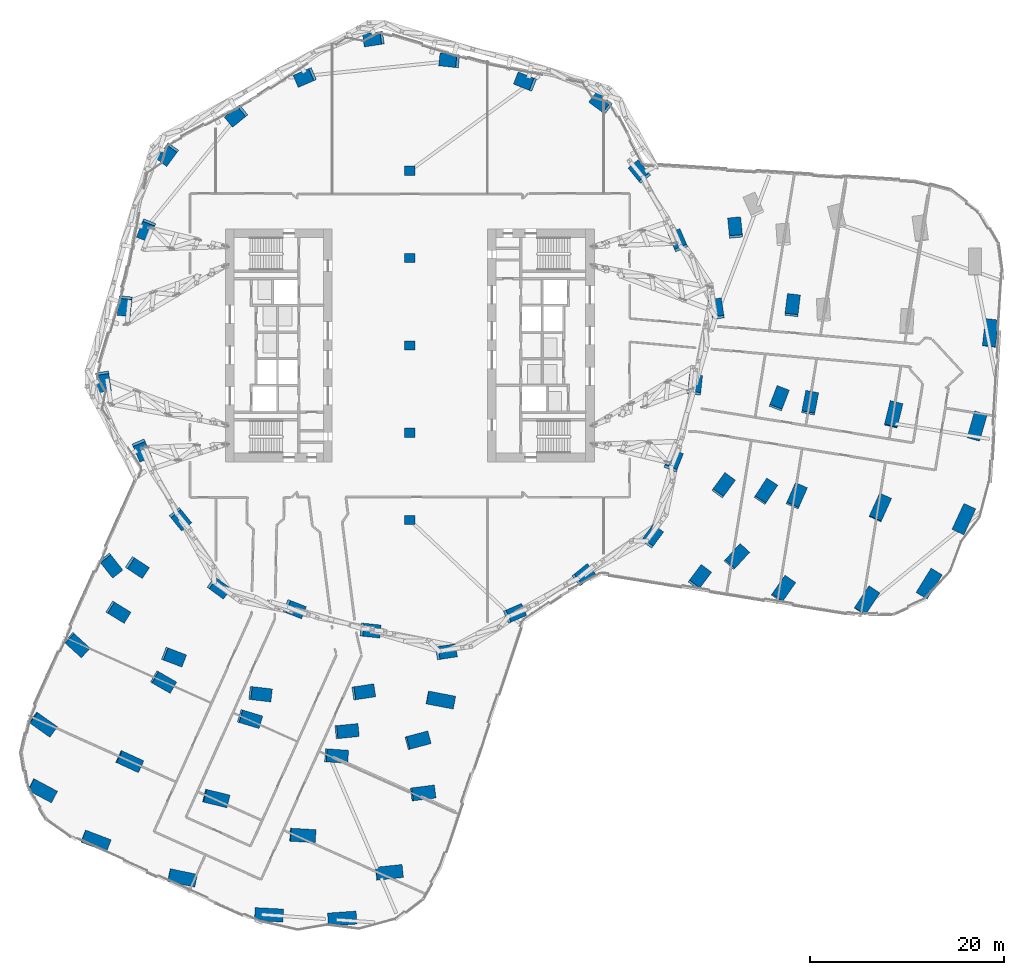
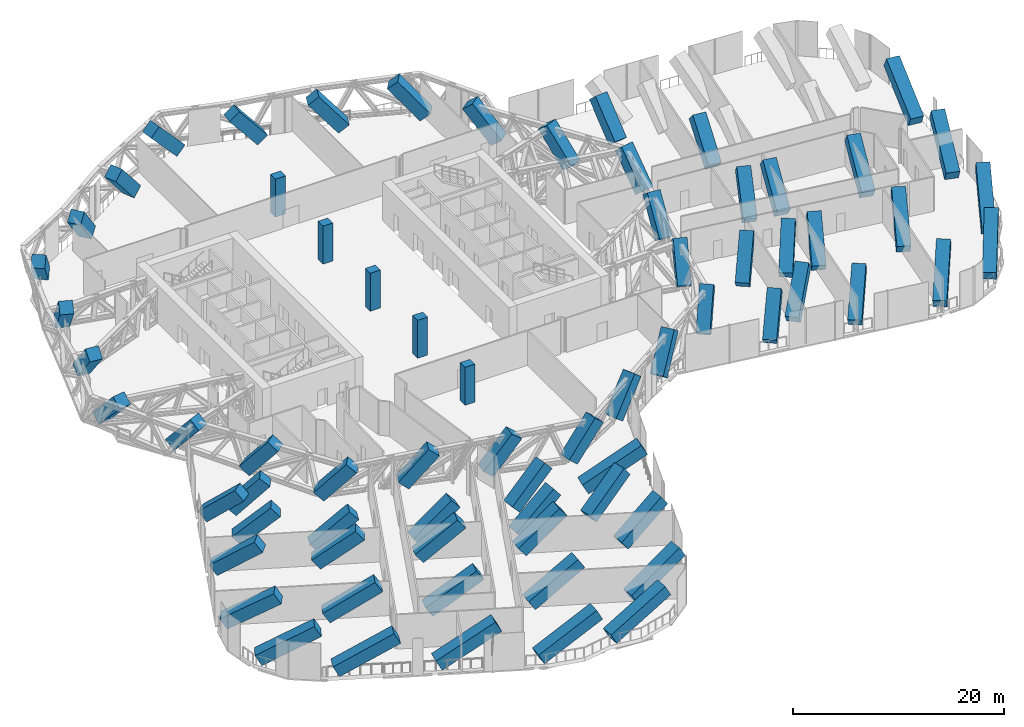
# One storey, part 1 of 39: 70 columns.
"""IFC4 building model written with IfcOpenShell, lengths in metres."""

from ifc_helpers import new_model, si_unit, direction, frame, origin, origin_2d, place, context, subcontext, project, spatial, rectangle, extrude, material, material_profile, profile_set, type_object, element, save


model = new_model("IFC4")

# Units and contexts
model_context = context("Model", 3, precision=1e-05, world=origin(), true_north=direction((0.0, 1.0)))
body_context = subcontext(model_context, "Body", "Model", "MODEL_VIEW")
ifc_project = project(units=[si_unit("LENGTHUNIT", "METRE"), si_unit("AREAUNIT", "SQUARE_METRE"), si_unit("VOLUMEUNIT", "CUBIC_METRE"), si_unit("PLANEANGLEUNIT", "RADIAN"), si_unit("MASSUNIT", "GRAM", prefix="KILO")], contexts=[model_context])

# Site, building, storey
site_placement = place(None, origin())
site = spatial("IfcSite", under=ifc_project, at=site_placement, CompositionType="ELEMENT")
building_placement = place(site_placement, origin())
building = spatial("IfcBuilding", under=site, at=building_placement, Name="Orlundy Tower", CompositionType="ELEMENT")
storey_placement = place(building_placement, frame((0.0, 0.0, 141.199951171875)))
storey = spatial("IfcBuildingStorey", under=building, at=storey_placement, Name="L36", CompositionType="ELEMENT", Elevation=141.199951171875)

# Columns
ifc_material_1 = material(Name="Concrete C80/95", Category="concrete")
ifc_material_profile_1 = material_profile(ifc_material_1, rectangle(XDim=1.10009765625, YDim=0.949951171875, at=origin_2d()), Name="RC1100X950")
ifc_profile_set_1 = profile_set([ifc_material_profile_1], Name="Concrete C80/95")
column_type_1 = type_object("IfcColumnType", Name="RC COLUMN RC1100X950 C80/95", PredefinedType="COLUMN", material=ifc_profile_set_1)
for number, where, z_axis, x_axis, name in (
    (1, (0.0, -18.0, 0.0), (0.0, 0.0, 1.0), (1.0, 0.0, 0.0), "Column C-M1 L36"),
    (2, (0.0, -9.0, 0.0), (0.0, 0.0, 1.0), (1.0, 0.0, 0.0), "Column C-M2 L36"),
    (3, (0.0, 0.0, 0.0), (0.0, 0.0, 1.0), (1.0, 0.0, 0.0), "Column C-M3 L36"),
    (4, (0.0, 9.0, 0.0), (0.0, 0.0, 1.0), (1.0, 0.0, 0.0), "Column C-M4 L36"),
    (5, (0.0, 18.0, 0.0), (0.0, 0.0, 1.0), (1.0, 0.0, 0.0), "Column C-M5 L36"),
):
    element("IfcColumn", number, at=place(storey_placement, frame(where, z_axis=z_axis, x_axis=x_axis)), inside=storey, type_object=column_type_1, Name=name, PredefinedType="COLUMN", context=body_context, shape_type="SweptSolid", body=[
        extrude(rectangle(XDim=1.10009765625, YDim=0.949951171875, at=origin_2d()), origin(), (0.0, 0.0, 1.0), 4.400146484375),
    ])
ifc_material_2 = material(Name="Concrete C80/95", Category="concrete")
ifc_material_profile_2 = material_profile(ifc_material_2, rectangle(XDim=1.35009765625, YDim=1.35009765625, at=origin_2d()), Name="RC1350X1350")
ifc_profile_set_2 = profile_set([ifc_material_profile_2], Name="Concrete C80/95")
column_type_2 = type_object("IfcColumnType", Name="RC COLUMN RC1350X1350 C80/95", PredefinedType="COLUMN", material=ifc_profile_set_2)
column_1_placement = place(storey_placement, frame((29.488037109375, -24.408935546875, 0.50244140625), z_axis=(0.445669755375, 0.596163130372, 0.667808349101), x_axis=(-0.800935761817, 0.598750286382, 0.0)))
element("IfcColumn", 6, at=column_1_placement, inside=storey, type_object=column_type_2, Name="Column C-A1-1 L36 strut", PredefinedType="COLUMN", context=body_context, shape_type="SweptSolid", body=[
    extrude(rectangle(XDim=1.35009765625, YDim=1.35009765625, at=origin_2d()), origin(), (0.0, 0.0, 1.0), 5.084228515625),
])
column_2_placement = place(storey_placement, frame((38.010986328125, -25.784912109375, 0.552978515625), z_axis=(0.468842724866, 0.671791143978, 0.573483354783), x_axis=(-0.820040318321, 0.572305754233, 0.0)))
element("IfcColumn", 7, at=column_2_placement, inside=storey, type_object=column_type_2, Name="Column C-A1-2 L36 strut", PredefinedType="COLUMN", context=body_context, shape_type="SweptSolid", body=[
    extrude(rectangle(XDim=1.35009765625, YDim=1.35009765625, at=origin_2d()), origin(), (0.0, 0.0, 1.0), 5.744140625),
])
column_3_placement = place(storey_placement, frame((46.534912109375, -27.156005859375, 0.58544921875), z_axis=(0.480787238575, 0.721858234999, 0.497759299047), x_axis=(-0.832290525352, 0.554339680529, 0.0)))
element("IfcColumn", 8, at=column_3_placement, inside=storey, type_object=column_type_2, Name="Column C-A1-3 L36 strut", PredefinedType="COLUMN", context=body_context, shape_type="SweptSolid", body=[
    extrude(rectangle(XDim=1.35009765625, YDim=1.35009765625, at=origin_2d()), origin(), (0.0, 0.0, 1.0), 6.487548828125),
])
column_4_placement = place(storey_placement, frame((52.89892578125, -25.547119140625, 0.60009765625), z_axis=(0.466787888169, 0.756586970001, 0.457913992233), x_axis=(-0.851057310823, 0.525072807994, 0.0)))
element("IfcColumn", 9, at=column_4_placement, inside=storey, type_object=column_type_2, Name="Column C-A1-5 L36 strut", PredefinedType="COLUMN", context=body_context, shape_type="SweptSolid", body=[
    extrude(rectangle(XDim=1.35009765625, YDim=1.35009765625, at=origin_2d()), origin(), (0.0, 0.0, 1.0), 6.988037109375),
])
column_5_placement = place(storey_placement, frame((33.154052734375, -22.361083984375, 0.5439453125), z_axis=(0.544321843099, 0.594047747758, 0.592301447331), x_axis=(-0.737291324777, 0.675574942112, 0.0)))
element("IfcColumn", 10, at=column_5_placement, inside=storey, type_object=column_type_2, Name="Column C-A1-6 L36 strut", PredefinedType="COLUMN", context=body_context, shape_type="SweptSolid", body=[
    extrude(rectangle(XDim=1.35009765625, YDim=1.35009765625, at=origin_2d()), origin(), (0.0, 0.0, 1.0), 5.59228515625),
])
column_6_placement = place(storey_placement, frame((39.555908203125, -16.208984375, 0.53515625), z_axis=(0.31854234931, 0.725893965925, 0.609597180054), x_axis=(-0.915710327084, 0.401839018603, 0.0)))
element("IfcColumn", 11, at=column_6_placement, inside=storey, type_object=column_type_2, Name="Column C-A2-2 L36 strut", PredefinedType="COLUMN", context=body_context, shape_type="SweptSolid", body=[
    extrude(rectangle(XDim=1.35009765625, YDim=1.35009765625, at=origin_2d()), origin(), (0.0, 0.0, 1.0), 5.46240234375),
])
column_7_placement = place(storey_placement, frame((48.0791015625, -17.583984375, 0.57421875), z_axis=(0.350418443914, 0.775058009341, 0.52582506247), x_axis=(-0.911197540169, 0.41196971101, 0.0)))
element("IfcColumn", 12, at=column_7_placement, inside=storey, type_object=column_type_2, Name="Column C-A2-3 L36 strut", PredefinedType="COLUMN", context=body_context, shape_type="SweptSolid", body=[
    extrude(rectangle(XDim=1.35009765625, YDim=1.35009765625, at=origin_2d()), origin(), (0.0, 0.0, 1.0), 6.18408203125),
])
column_8_placement = place(storey_placement, frame((56.60302734375, -18.958984375, 0.599609375), z_axis=(0.372133685818, 0.806529075779, 0.459377154201), x_axis=(-0.908006713868, 0.418955615274, 0.0)))
element("IfcColumn", 13, at=column_8_placement, inside=storey, type_object=column_type_2, Name="Column C-A2-5 L36 strut", PredefinedType="COLUMN", context=body_context, shape_type="SweptSolid", body=[
    extrude(rectangle(XDim=1.35009765625, YDim=1.35009765625, at=origin_2d()), origin(), (0.0, 0.0, 1.0), 6.968017578125),
])
column_9_placement = place(storey_placement, frame((36.26611328125, -15.677978515625, 0.533935546875), z_axis=(0.435018210806, 0.660530073154, 0.61193069765), x_axis=(-0.83515054207, 0.550021428746, 0.0)))
element("IfcColumn", 14, at=column_9_placement, inside=storey, type_object=column_type_2, Name="Column C-A2-6 L36 strut", PredefinedType="COLUMN", context=body_context, shape_type="SweptSolid", body=[
    extrude(rectangle(XDim=1.35009765625, YDim=1.35009765625, at=origin_2d()), origin(), (0.0, 0.0, 1.0), 5.445556640625),
])
column_10_placement = place(storey_placement, frame((31.922119140625, -14.97705078125, 0.51171875), z_axis=(0.448305367105, 0.611196881725, 0.65227346228), x_axis=(-0.806345650901, 0.591444580052, 0.0)))
element("IfcColumn", 15, at=column_10_placement, inside=storey, type_object=column_type_2, Name="Column C-A2-7 L36 strut", PredefinedType="COLUMN", context=body_context, shape_type="SweptSolid", body=[
    extrude(rectangle(XDim=1.35009765625, YDim=1.35009765625, at=origin_2d()), origin(), (0.0, 0.0, 1.0), 5.1767578125),
])
column_11_placement = place(storey_placement, frame((41.10205078125, -6.632080078125, 0.525146484375), z_axis=(0.147457450281, 0.763672927503, 0.628537954428), x_axis=(-0.981863757507, 0.189587873278, 0.0)))
element("IfcColumn", 16, at=column_11_placement, inside=storey, type_object=column_type_2, Name="Column C-A3-2 L36 strut", PredefinedType="COLUMN", context=body_context, shape_type="SweptSolid", body=[
    extrude(rectangle(XDim=1.35009765625, YDim=1.35009765625, at=origin_2d()), origin(), (0.0, 0.0, 1.0), 5.32958984375),
])
column_12_placement = place(storey_placement, frame((49.625, -8.008056640625, 0.566650390625), z_axis=(0.201746311335, 0.814904031714, 0.543350572798), x_axis=(-0.970694824594, 0.240315537379, 0.0)))
element("IfcColumn", 17, at=column_12_placement, inside=storey, type_object=column_type_2, Name="Column C-A3-3 L36 strut", PredefinedType="COLUMN", context=body_context, shape_type="SweptSolid", body=[
    extrude(rectangle(XDim=1.35009765625, YDim=1.35009765625, at=origin_2d()), origin(), (0.0, 0.0, 1.0), 6.011962890625),
])
column_13_placement = place(storey_placement, frame((58.14794921875, -9.383056640625, 0.59423828125), z_axis=(0.24237144992, 0.846171477585, 0.474605005015), x_axis=(-0.961341221194, 0.275359867143, 0.0)))
element("IfcColumn", 18, at=column_13_placement, inside=storey, type_object=column_type_2, Name="Column C-A3-5 L36 strut", PredefinedType="COLUMN", context=body_context, shape_type="SweptSolid", body=[
    extrude(rectangle(XDim=1.35009765625, YDim=1.35009765625, at=origin_2d()), origin(), (0.0, 0.0, 1.0), 6.76708984375),
])
column_14_placement = place(storey_placement, frame((37.81103515625, -6.10107421875, 0.51416015625), z_axis=(0.272108426687, 0.711422790049, 0.647946462237), x_axis=(-0.93401073504, 0.357244939543, 0.0)))
element("IfcColumn", 19, at=column_14_placement, inside=storey, type_object=column_type_2, Name="Column C-A3-6 L36 strut", PredefinedType="COLUMN", context=body_context, shape_type="SweptSolid", body=[
    extrude(rectangle(XDim=1.35009765625, YDim=1.35009765625, at=origin_2d()), origin(), (0.0, 0.0, 1.0), 5.203857421875),
])
column_15_placement = place(storey_placement, frame((59.693115234375, 0.193115234375, 0.592041015625), z_axis=(0.102577531908, 0.871052081297, 0.480360408043), x_axis=(-0.993137259323, 0.116954624293, 0.0)))
element("IfcColumn", 20, at=column_15_placement, inside=storey, type_object=column_type_2, Name="Column C-A4-5 L36 strut", PredefinedType="COLUMN", context=body_context, shape_type="SweptSolid", body=[
    extrude(rectangle(XDim=1.35009765625, YDim=1.35009765625, at=origin_2d()), origin(), (0.0, 0.0, 1.0), 6.695068359375),
])
column_16_placement = place(storey_placement, frame((39.35595703125, 3.47509765625, 0.505859375), z_axis=(0.090491070758, 0.744011191678, 0.662011112272), x_axis=(-0.992684625922, 0.12073621436, 0.0)))
element("IfcColumn", 21, at=column_16_placement, inside=storey, type_object=column_type_2, Name="Column C-A4-6 L36 strut", PredefinedType="COLUMN", context=body_context, shape_type="SweptSolid", body=[
    extrude(rectangle(XDim=1.35009765625, YDim=1.35009765625, at=origin_2d()), origin(), (0.0, 0.0, 1.0), 5.117919921875),
])
column_17_placement = place(storey_placement, frame((33.569091796875, 11.593994140625, 0.45751953125), z_axis=(-0.065634102626, 0.674423891271, 0.735421361843), x_axis=(-0.995297902373, -0.096861166269, 0.0)))
element("IfcColumn", 22, at=column_17_placement, inside=storey, type_object=column_type_2, Name="Column C-A5-7 L36 strut", PredefinedType="COLUMN", context=body_context, shape_type="SweptSolid", body=[
    extrude(rectangle(XDim=1.35009765625, YDim=1.35009765625, at=origin_2d()), origin(), (0.0, 0.0, 1.0), 4.739013671875),
])
column_18_placement = place(storey_placement, frame((-31.2099609375, -22.166015625, 0.50244140625), z_axis=(0.460481520872, -0.584762069002, 0.667839869723), x_axis=(0.785648466682, 0.618673166381, 0.0)))
element("IfcColumn", 23, at=column_18_placement, inside=storey, type_object=column_type_2, Name="Column C-B1-1 L36 strut", PredefinedType="COLUMN", context=body_context, shape_type="SweptSolid", body=[
    extrude(rectangle(XDim=1.35009765625, YDim=1.35009765625, at=origin_2d()), origin(), (0.0, 0.0, 1.0), 5.083984375),
])
column_19_placement = place(storey_placement, frame((-34.881103515625, -30.345947265625, 0.5400390625), z_axis=(0.591549136384, -0.538558123272, 0.600020638896), x_axis=(0.67321068037, 0.739450728471, 0.0)))
element("IfcColumn", 24, at=column_19_placement, inside=storey, type_object=column_type_2, Name="Column C-B1-2 L36 strut", PredefinedType="COLUMN", context=body_context, shape_type="SweptSolid", body=[
    extrude(rectangle(XDim=1.35009765625, YDim=1.35009765625, at=origin_2d()), origin(), (0.0, 0.0, 1.0), 5.533203125),
])
column_20_placement = place(storey_placement, frame((-38.551025390625, -38.527099609375, 0.57080078125), z_axis=(0.689361141479, -0.489577625895, 0.533942847918), x_axis=(0.579025091724, 0.815309722225, 0.0)))
element("IfcColumn", 25, at=column_20_placement, inside=storey, type_object=column_type_2, Name="Column C-B1-3 L36 strut", PredefinedType="COLUMN", context=body_context, shape_type="SweptSolid", body=[
    extrude(rectangle(XDim=1.35009765625, YDim=1.35009765625, at=origin_2d()), origin(), (0.0, 0.0, 1.0), 6.102783203125),
])
column_21_placement = place(storey_placement, frame((-38.777099609375, -45.39697265625, 0.586181640625), z_axis=(0.766373481627, -0.408445000655, 0.495826953784), x_axis=(0.470330448643, 0.88249037903, 0.0)))
element("IfcColumn", 26, at=column_21_placement, inside=storey, type_object=column_type_2, Name="Column C-B1-5 L36 strut", PredefinedType="COLUMN", context=body_context, shape_type="SweptSolid", body=[
    extrude(rectangle(XDim=1.35009765625, YDim=1.35009765625, at=origin_2d()), origin(), (0.0, 0.0, 1.0), 6.510009765625),
])
column_22_placement = place(storey_placement, frame((-30.589111328125, -27.14990234375, 0.496337890625), z_axis=(0.626131565999, -0.385681506687, 0.677649642116), x_axis=(0.524462091382, 0.851433799366, 0.0)))
element("IfcColumn", 27, at=column_22_placement, inside=storey, type_object=column_type_2, Name="Column C-B1-6 L36 strut", PredefinedType="COLUMN", context=body_context, shape_type="SweptSolid", body=[
    extrude(rectangle(XDim=1.35009765625, YDim=1.35009765625, at=origin_2d()), origin(), (0.0, 0.0, 1.0), 5.028076171875),
])
column_23_placement = place(storey_placement, frame((-28.5419921875, -22.587890625, 0.45751953125), z_axis=(0.56693007225, -0.371342803094, 0.735319533107), x_axis=(0.547929064254, 0.83652479972, 0.0)))
element("IfcColumn", 28, at=column_23_placement, inside=storey, type_object=column_type_2, Name="Column C-B1-7 L36 strut", PredefinedType="COLUMN", context=body_context, shape_type="SweptSolid", body=[
    extrude(rectangle(XDim=1.35009765625, YDim=1.35009765625, at=origin_2d()), origin(), (0.0, 0.0, 1.0), 4.739501953125),
])
column_24_placement = place(storey_placement, frame((-26.031005859375, -34.318115234375, 0.52685546875), z_axis=(0.676490609921, -0.389588552923, 0.624964970314), x_axis=(0.499054836626, 0.866570406857, 0.0)))
element("IfcColumn", 29, at=column_24_placement, inside=storey, type_object=column_type_2, Name="Column C-B2-2 L36 strut", PredefinedType="COLUMN", context=body_context, shape_type="SweptSolid", body=[
    extrude(rectangle(XDim=1.35009765625, YDim=1.35009765625, at=origin_2d()), origin(), (0.0, 0.0, 1.0), 5.354248046875),
])
column_25_placement = place(storey_placement, frame((-29.701904296875, -42.498046875, 0.5654296875), z_axis=(0.760961590664, -0.34981627523, 0.546411960994), x_axis=(0.417682821777, 0.908592901355, 0.0)))
element("IfcColumn", 30, at=column_25_placement, inside=storey, type_object=column_type_2, Name="Column C-B2-3 L36 strut", PredefinedType="COLUMN", context=body_context, shape_type="SweptSolid", body=[
    extrude(rectangle(XDim=1.35009765625, YDim=1.35009765625, at=origin_2d()), origin(), (0.0, 0.0, 1.0), 5.983154296875),
])
column_26_placement = place(storey_placement, frame((-33.3720703125, -50.678955078125, 0.592041015625), z_axis=(0.81911959457, -0.313528481241, 0.480357139264), x_axis=(0.357471370186, 0.933924097289, 0.0)))
element("IfcColumn", 31, at=column_26_placement, inside=storey, type_object=column_type_2, Name="Column C-B2-5 L36 strut", PredefinedType="COLUMN", context=body_context, shape_type="SweptSolid", body=[
    extrude(rectangle(XDim=1.35009765625, YDim=1.35009765625, at=origin_2d()), origin(), (0.0, 0.0, 1.0), 6.695068359375),
])
column_27_placement = place(storey_placement, frame((-24.93896484375, -31.885009765625, 0.505859375), z_axis=(0.700899962867, -0.265342063263, 0.66206708989), x_axis=(0.354051617302, 0.935225883028, 0.0)))
element("IfcColumn", 32, at=column_27_placement, inside=storey, type_object=column_type_2, Name="Column C-B2-6 L36 strut", PredefinedType="COLUMN", context=body_context, shape_type="SweptSolid", body=[
    extrude(rectangle(XDim=1.35009765625, YDim=1.35009765625, at=origin_2d()), origin(), (0.0, 0.0, 1.0), 5.11767578125),
])
column_28_placement = place(storey_placement, frame((-17.180908203125, -38.2890625, 0.525146484375), z_axis=(0.744966037847, -0.223787522959, 0.628446296053), x_axis=(0.287698999339, 0.957720880935, 0.0)))
element("IfcColumn", 33, at=column_28_placement, inside=storey, type_object=column_type_2, Name="Column C-B3-2 L36 strut", PredefinedType="COLUMN", context=body_context, shape_type="SweptSolid", body=[
    extrude(rectangle(XDim=1.35009765625, YDim=1.35009765625, at=origin_2d()), origin(), (0.0, 0.0, 1.0), 5.330322265625),
])
column_29_placement = place(storey_placement, frame((-20.85205078125, -46.468994140625, 0.566650390625), z_axis=(0.815419612681, -0.199600946079, 0.543369411707), x_axis=(0.237763481312, 0.971323080625, 0.0)))
element("IfcColumn", 34, at=column_29_placement, inside=storey, type_object=column_type_2, Name="Column C-B3-3 L36 strut", PredefinedType="COLUMN", context=body_context, shape_type="SweptSolid", body=[
    extrude(rectangle(XDim=1.35009765625, YDim=1.35009765625, at=origin_2d()), origin(), (0.0, 0.0, 1.0), 6.01171875),
])
column_30_placement = place(storey_placement, frame((-24.52294921875, -54.64990234375, 0.59423828125), z_axis=(0.862005289153, -0.178201629077, 0.474543002126), x_axis=(0.202448404588, 0.979292930374, 0.0)))
element("IfcColumn", 35, at=column_30_placement, inside=storey, type_object=column_type_2, Name="Column C-B3-5 L36 strut", PredefinedType="COLUMN", context=body_context, shape_type="SweptSolid", body=[
    extrude(rectangle(XDim=1.35009765625, YDim=1.35009765625, at=origin_2d()), origin(), (0.0, 0.0, 1.0), 6.767822265625),
])
column_31_placement = place(storey_placement, frame((-16.089111328125, -35.85595703125, 0.51416015625), z_axis=(0.756400050479, -0.089377378499, 0.647974264804), x_axis=(0.117345163005, 0.993091190536, 0.0)))
element("IfcColumn", 36, at=column_31_placement, inside=storey, type_object=column_type_2, Name="Column C-B3-6 L36 strut", PredefinedType="COLUMN", context=body_context, shape_type="SweptSolid", body=[
    extrude(rectangle(XDim=1.35009765625, YDim=1.35009765625, at=origin_2d()), origin(), (0.0, 0.0, 1.0), 5.20361328125),
])
column_32_placement = place(storey_placement, frame((-8.3310546875, -42.260009765625, 0.53515625), z_axis=(0.790766933588, -0.05493485735, 0.60964728999), x_axis=(0.069303320034, 0.997595634429, 0.0)))
element("IfcColumn", 37, at=column_32_placement, inside=storey, type_object=column_type_2, Name="Column C-B4-2 L36 strut", PredefinedType="COLUMN", context=body_context, shape_type="SweptSolid", body=[
    extrude(rectangle(XDim=1.35009765625, YDim=1.35009765625, at=origin_2d()), origin(), (0.0, 0.0, 1.0), 5.4619140625),
])
column_33_placement = place(storey_placement, frame((-12.001953125, -50.44091796875, 0.57421875), z_axis=(0.84914253523, -0.049508310358, 0.525838266075), x_axis=(0.0582050414, 0.998304649471, 0.0)))
element("IfcColumn", 38, at=column_33_placement, inside=storey, type_object=column_type_2, Name="Column C-B4-3 L36 strut", PredefinedType="COLUMN", context=body_context, shape_type="SweptSolid", body=[
    extrude(rectangle(XDim=1.35009765625, YDim=1.35009765625, at=origin_2d()), origin(), (0.0, 0.0, 1.0), 6.183837890625),
])
column_34_placement = place(storey_placement, frame((-15.673095703125, -58.62109375, 0.599609375), z_axis=(0.887129480144, -0.044913513685, 0.459330013986), x_axis=(0.050563152588, 0.998720865708, 0.0)))
element("IfcColumn", 39, at=column_34_placement, inside=storey, type_object=column_type_2, Name="Column C-B4-5 L36 strut", PredefinedType="COLUMN", context=body_context, shape_type="SweptSolid", body=[
    extrude(rectangle(XDim=1.35009765625, YDim=1.35009765625, at=origin_2d()), origin(), (0.0, 0.0, 1.0), 6.96875),
])
column_35_placement = place(storey_placement, frame((-7.239013671875, -39.826904296875, 0.533935546875), z_axis=(0.786948730103, 0.07860071357, 0.611991522829), x_axis=(-0.099385838219, 0.995048971238, 0.0)))
element("IfcColumn", 40, at=column_35_placement, inside=storey, type_object=column_type_2, Name="Column C-B4-6 L36 strut", PredefinedType="COLUMN", context=body_context, shape_type="SweptSolid", body=[
    extrude(rectangle(XDim=1.35009765625, YDim=1.35009765625, at=origin_2d()), origin(), (0.0, 0.0, 1.0), 5.445068359375),
])
column_36_placement = place(storey_placement, frame((-5.43798828125, -35.81201171875, 0.51171875), z_axis=(0.749479055417, 0.113185862887, 0.652280695663), x_axis=(-0.14932615089, 0.988787995811, 0.0)))
element("IfcColumn", 41, at=column_36_placement, inside=storey, type_object=column_type_2, Name="Column C-B4-7 L36 strut", PredefinedType="COLUMN", context=body_context, shape_type="SweptSolid", body=[
    extrude(rectangle(XDim=1.35009765625, YDim=1.35009765625, at=origin_2d()), origin(), (0.0, 0.0, 1.0), 5.1767578125),
])
column_37_placement = place(storey_placement, frame((0.51904296875, -46.23095703125, 0.552978515625), z_axis=(0.812671730055, 0.103241612568, 0.57350311996), x_axis=(-0.12602683971, 0.992026832133, 0.0)))
element("IfcColumn", 42, at=column_37_placement, inside=storey, type_object=column_type_2, Name="Column C-B5-2 L36 strut", PredefinedType="COLUMN", context=body_context, shape_type="SweptSolid", body=[
    extrude(rectangle(XDim=1.35009765625, YDim=1.35009765625, at=origin_2d()), origin(), (0.0, 0.0, 1.0), 5.743896484375),
])
column_38_placement = place(storey_placement, frame((-3.152099609375, -54.412109375, 0.58544921875), z_axis=(0.862562236494, 0.090801966524, 0.497736266561), x_axis=(-0.104691559937, 0.994504739696, 0.0)))
element("IfcColumn", 43, at=column_38_placement, inside=storey, type_object=column_type_2, Name="Column C-B5-3 L36 strut", PredefinedType="COLUMN", context=body_context, shape_type="SweptSolid", body=[
    extrude(rectangle(XDim=1.35009765625, YDim=1.35009765625, at=origin_2d()), origin(), (0.0, 0.0, 1.0), 6.48779296875),
])
column_39_placement = place(storey_placement, frame((-8.134033203125, -59.14697265625, 0.60009765625), z_axis=(0.886817690236, 0.062118813901, 0.45792536209), x_axis=(-0.069875666761, 0.997555708316, 0.0)))
element("IfcColumn", 44, at=column_39_placement, inside=storey, type_object=column_type_2, Name="Column C-B5-5 L36 strut", PredefinedType="COLUMN", context=body_context, shape_type="SweptSolid", body=[
    extrude(rectangle(XDim=1.35009765625, YDim=1.35009765625, at=origin_2d()), origin(), (0.0, 0.0, 1.0), 6.988037109375),
])
column_40_placement = place(storey_placement, frame((0.053955078125, -40.89990234375, 0.5439453125), z_axis=(0.778816229467, 0.20633958406, 0.592342178786), x_axis=(-0.25610405903, 0.966649218149, 0.0)))
element("IfcColumn", 45, at=column_40_placement, inside=storey, type_object=column_type_2, Name="Column C-B5-6 L36 strut", PredefinedType="COLUMN", context=body_context, shape_type="SweptSolid", body=[
    extrude(rectangle(XDim=1.35009765625, YDim=1.35009765625, at=origin_2d()), origin(), (0.0, 0.0, 1.0), 5.591796875),
])
column_41_placement = place(storey_placement, frame((2.10107421875, -36.337890625, 0.593505859375), z_axis=(0.863633920008, -0.164879186288, 0.476394066022), x_axis=(0.187526397263, 0.982259563623, 0.0)))
element("IfcColumn", 46, at=column_41_placement, inside=storey, type_object=column_type_2, Name="Column C-B5-7 L36 strut", PredefinedType="COLUMN", context=body_context, shape_type="SweptSolid", body=[
    extrude(rectangle(XDim=1.35009765625, YDim=1.35009765625, at=origin_2d()), origin(), (0.0, 0.0, 1.0), 6.74462890625),
])
column_42_placement = place(storey_placement, frame((20.097900390625, 24.672119140625, 0.451416015625), z_axis=(-0.538700406723, 0.396226891312, 0.743509329059), x_axis=(-0.592510461213, -0.805562755689, 0.0)))
element("IfcColumn", 47, at=column_42_placement, inside=storey, type_object=column_type_2, Name="Column C-H01 L36 strut", PredefinedType="COLUMN", context=body_context, shape_type="SweptSolid", body=[
    extrude(rectangle(XDim=1.35009765625, YDim=1.35009765625, at=origin_2d()), origin(), (0.0, 0.0, 1.0), 4.703857421875),
])
for number, where, z_axis, x_axis, name in (
    (48, (23.950927734375, 17.52587890625, 0.430908203125), (-0.401795419093, 0.496016843214, 0.769758229864), (-0.777047193088, -0.629442340262, 0.0), "Column C-H02 L36 strut"),
    (49, (27.803955078125, 10.3798828125, 0.430908203125), (-0.25234228845, 0.58632004256, 0.769774107874), (-0.918541408609, -0.395324778721, 0.0), "Column C-H03 L36 strut"),
):
    element("IfcColumn", number, at=place(storey_placement, frame(where, z_axis=z_axis, x_axis=x_axis)), inside=storey, type_object=column_type_2, Name=name, PredefinedType="COLUMN", context=body_context, shape_type="SweptSolid", body=[
        extrude(rectangle(XDim=1.35009765625, YDim=1.35009765625, at=origin_2d()), origin(), (0.0, 0.0, 1.0), 4.5966796875),
    ])
column_43_placement = place(storey_placement, frame((31.657958984375, 3.23388671875, 0.451416015625), z_axis=(-0.100942539324, 0.661134708716, 0.74344569451), x_axis=(-0.988544198724, -0.150931663907, 0.0)))
element("IfcColumn", 50, at=column_43_placement, inside=storey, type_object=column_type_2, Name="Column C-H04 L36 strut", PredefinedType="COLUMN", context=body_context, shape_type="SweptSolid", body=[
    extrude(rectangle(XDim=1.35009765625, YDim=1.35009765625, at=origin_2d()), origin(), (0.0, 0.0, 1.0), 4.7041015625),
])
column_44_placement = place(storey_placement, frame((29.3291015625, -4.54296875, 0.430908203125), z_axis=(0.066340760045, 0.634831676586, 0.769797145981), x_axis=(-0.994584053709, 0.10393536505, 0.0)))
element("IfcColumn", 51, at=column_44_placement, inside=storey, type_object=column_type_2, Name="Column C-H05 L36 strut", PredefinedType="COLUMN", context=body_context, shape_type="SweptSolid", body=[
    extrude(rectangle(XDim=1.35009765625, YDim=1.35009765625, at=origin_2d()), origin(), (0.0, 0.0, 1.0), 4.596435546875),
])
column_45_placement = place(storey_placement, frame((27.0009765625, -12.321044921875, 0.430908203125), z_axis=(0.23580703144, 0.593235257024, 0.769718762762), x_axis=(-0.929277772361, 0.369381674958, 0.0)))
element("IfcColumn", 52, at=column_45_placement, inside=storey, type_object=column_type_2, Name="Column C-H06 L36 strut", PredefinedType="COLUMN", context=body_context, shape_type="SweptSolid", body=[
    extrude(rectangle(XDim=1.35009765625, YDim=1.35009765625, at=origin_2d()), origin(), (0.0, 0.0, 1.0), 4.596923828125),
])
column_46_placement = place(storey_placement, frame((24.672119140625, -20.097900390625, 0.451416015625), z_axis=(0.396226891312, 0.538700406723, 0.743509329059), x_axis=(-0.805562755689, 0.592510461213, 0.0)))
element("IfcColumn", 53, at=column_46_placement, inside=storey, type_object=column_type_2, Name="Column C-H07 L36 strut", PredefinedType="COLUMN", context=body_context, shape_type="SweptSolid", body=[
    extrude(rectangle(XDim=1.35009765625, YDim=1.35009765625, at=origin_2d()), origin(), (0.0, 0.0, 1.0), 4.703857421875),
])
for number, where, z_axis, x_axis, name in (
    (54, (17.52587890625, -23.950927734375, 0.430908203125), (0.496016843214, 0.401795419093, 0.769758229864), (-0.629442340262, 0.777047193088, 0.0), "Column C-H08 L36 strut"),
    (55, (10.3798828125, -27.803955078125, 0.430908203125), (0.58632004256, 0.25234228845, 0.769774107874), (-0.395324778721, 0.918541408609, 0.0), "Column C-H09 L36 strut"),
):
    element("IfcColumn", number, at=place(storey_placement, frame(where, z_axis=z_axis, x_axis=x_axis)), inside=storey, type_object=column_type_2, Name=name, PredefinedType="COLUMN", context=body_context, shape_type="SweptSolid", body=[
        extrude(rectangle(XDim=1.35009765625, YDim=1.35009765625, at=origin_2d()), origin(), (0.0, 0.0, 1.0), 4.5966796875),
    ])
column_47_placement = place(storey_placement, frame((3.23388671875, -31.657958984375, 0.451416015625), z_axis=(0.661134708716, 0.100942539324, 0.74344569451), x_axis=(-0.150931663907, 0.988544198724, 0.0)))
element("IfcColumn", 56, at=column_47_placement, inside=storey, type_object=column_type_2, Name="Column C-H10 L36 strut", PredefinedType="COLUMN", context=body_context, shape_type="SweptSolid", body=[
    extrude(rectangle(XDim=1.35009765625, YDim=1.35009765625, at=origin_2d()), origin(), (0.0, 0.0, 1.0), 4.7041015625),
])
column_48_placement = place(storey_placement, frame((-4.54296875, -29.3291015625, 0.430908203125), z_axis=(0.634831676586, -0.066340760045, 0.769797145981), x_axis=(0.10393536505, 0.994584053709, 0.0)))
element("IfcColumn", 57, at=column_48_placement, inside=storey, type_object=column_type_2, Name="Column C-H11 L36 strut", PredefinedType="COLUMN", context=body_context, shape_type="SweptSolid", body=[
    extrude(rectangle(XDim=1.35009765625, YDim=1.35009765625, at=origin_2d()), origin(), (0.0, 0.0, 1.0), 4.596435546875),
])
column_49_placement = place(storey_placement, frame((-12.321044921875, -27.0009765625, 0.430908203125), z_axis=(0.593235257024, -0.23580703144, 0.769718762762), x_axis=(0.369381674958, 0.929277772361, 0.0)))
element("IfcColumn", 58, at=column_49_placement, inside=storey, type_object=column_type_2, Name="Column C-H12 L36 strut", PredefinedType="COLUMN", context=body_context, shape_type="SweptSolid", body=[
    extrude(rectangle(XDim=1.35009765625, YDim=1.35009765625, at=origin_2d()), origin(), (0.0, 0.0, 1.0), 4.596923828125),
])
column_50_placement = place(storey_placement, frame((-20.097900390625, -24.672119140625, 0.451416015625), z_axis=(0.538700406723, -0.396226891312, 0.743509329059), x_axis=(0.592510461213, 0.805562755689, 0.0)))
element("IfcColumn", 59, at=column_50_placement, inside=storey, type_object=column_type_2, Name="Column C-H13 L36 strut", PredefinedType="COLUMN", context=body_context, shape_type="SweptSolid", body=[
    extrude(rectangle(XDim=1.35009765625, YDim=1.35009765625, at=origin_2d()), origin(), (0.0, 0.0, 1.0), 4.703857421875),
])
for number, where, z_axis, x_axis, name in (
    (60, (-23.950927734375, -17.52587890625, 0.430908203125), (0.401795419093, -0.496016843214, 0.769758229864), (0.777047193088, 0.629442340262, 0.0), "Column C-H14 L36 strut"),
    (61, (-27.803955078125, -10.3798828125, 0.430908203125), (0.25234228845, -0.58632004256, 0.769774107874), (0.918541408609, 0.395324778721, 0.0), "Column C-H15 L36 strut"),
):
    element("IfcColumn", number, at=place(storey_placement, frame(where, z_axis=z_axis, x_axis=x_axis)), inside=storey, type_object=column_type_2, Name=name, PredefinedType="COLUMN", context=body_context, shape_type="SweptSolid", body=[
        extrude(rectangle(XDim=1.35009765625, YDim=1.35009765625, at=origin_2d()), origin(), (0.0, 0.0, 1.0), 4.5966796875),
    ])
column_51_placement = place(storey_placement, frame((-31.657958984375, -3.23388671875, 0.451416015625), z_axis=(0.100942539324, -0.661134708716, 0.74344569451), x_axis=(0.988544198724, 0.150931663907, 0.0)))
element("IfcColumn", 62, at=column_51_placement, inside=storey, type_object=column_type_2, Name="Column C-H16 L36 strut", PredefinedType="COLUMN", context=body_context, shape_type="SweptSolid", body=[
    extrude(rectangle(XDim=1.35009765625, YDim=1.35009765625, at=origin_2d()), origin(), (0.0, 0.0, 1.0), 4.7041015625),
])
column_52_placement = place(storey_placement, frame((-29.3291015625, 4.54296875, 0.430908203125), z_axis=(-0.066340760045, -0.634831676586, 0.769797145981), x_axis=(0.994584053709, -0.10393536505, 0.0)))
element("IfcColumn", 63, at=column_52_placement, inside=storey, type_object=column_type_2, Name="Column C-H17 L36 strut", PredefinedType="COLUMN", context=body_context, shape_type="SweptSolid", body=[
    extrude(rectangle(XDim=1.35009765625, YDim=1.35009765625, at=origin_2d()), origin(), (0.0, 0.0, 1.0), 4.596435546875),
])
column_53_placement = place(storey_placement, frame((-27.0009765625, 12.321044921875, 0.430908203125), z_axis=(-0.23580703144, -0.593235257024, 0.769718762762), x_axis=(0.929277772361, -0.369381674958, 0.0)))
element("IfcColumn", 64, at=column_53_placement, inside=storey, type_object=column_type_2, Name="Column C-H18 L36 strut", PredefinedType="COLUMN", context=body_context, shape_type="SweptSolid", body=[
    extrude(rectangle(XDim=1.35009765625, YDim=1.35009765625, at=origin_2d()), origin(), (0.0, 0.0, 1.0), 4.596923828125),
])
column_54_placement = place(storey_placement, frame((-24.672119140625, 20.097900390625, 0.451416015625), z_axis=(-0.396226891312, -0.538700406723, 0.743509329059), x_axis=(0.805562755689, -0.592510461213, 0.0)))
element("IfcColumn", 65, at=column_54_placement, inside=storey, type_object=column_type_2, Name="Column C-H19 L36 strut", PredefinedType="COLUMN", context=body_context, shape_type="SweptSolid", body=[
    extrude(rectangle(XDim=1.35009765625, YDim=1.35009765625, at=origin_2d()), origin(), (0.0, 0.0, 1.0), 4.703857421875),
])
for number, where, z_axis, x_axis, name in (
    (66, (-17.52587890625, 23.950927734375, 0.430908203125), (-0.496016843214, -0.401795419093, 0.769758229864), (0.629442340262, -0.777047193088, 0.0), "Column C-H20 L36 strut"),
    (67, (-10.3798828125, 27.803955078125, 0.430908203125), (-0.58632004256, -0.25234228845, 0.769774107874), (0.395324778721, -0.918541408609, 0.0), "Column C-H21 L36 strut"),
):
    element("IfcColumn", number, at=place(storey_placement, frame(where, z_axis=z_axis, x_axis=x_axis)), inside=storey, type_object=column_type_2, Name=name, PredefinedType="COLUMN", context=body_context, shape_type="SweptSolid", body=[
        extrude(rectangle(XDim=1.35009765625, YDim=1.35009765625, at=origin_2d()), origin(), (0.0, 0.0, 1.0), 4.5966796875),
    ])
column_55_placement = place(storey_placement, frame((-3.23388671875, 31.657958984375, 0.451416015625), z_axis=(-0.661134708716, -0.100942539324, 0.74344569451), x_axis=(0.150931663907, -0.988544198724, 0.0)))
element("IfcColumn", 68, at=column_55_placement, inside=storey, type_object=column_type_2, Name="Column C-H22 L36 strut", PredefinedType="COLUMN", context=body_context, shape_type="SweptSolid", body=[
    extrude(rectangle(XDim=1.35009765625, YDim=1.35009765625, at=origin_2d()), origin(), (0.0, 0.0, 1.0), 4.7041015625),
])
column_56_placement = place(storey_placement, frame((4.54296875, 29.3291015625, 0.430908203125), z_axis=(-0.634831676586, 0.066340760045, 0.769797145981), x_axis=(-0.10393536505, -0.994584053709, 0.0)))
element("IfcColumn", 69, at=column_56_placement, inside=storey, type_object=column_type_2, Name="Column C-H23 L36 strut", PredefinedType="COLUMN", context=body_context, shape_type="SweptSolid", body=[
    extrude(rectangle(XDim=1.35009765625, YDim=1.35009765625, at=origin_2d()), origin(), (0.0, 0.0, 1.0), 4.596435546875),
])
column_57_placement = place(storey_placement, frame((12.321044921875, 27.0009765625, 0.430908203125), z_axis=(-0.593235257024, 0.23580703144, 0.769718762762), x_axis=(-0.369381674958, -0.929277772361, 0.0)))
element("IfcColumn", 70, at=column_57_placement, inside=storey, type_object=column_type_2, Name="Column C-H24 L36 strut", PredefinedType="COLUMN", context=body_context, shape_type="SweptSolid", body=[
    extrude(rectangle(XDim=1.35009765625, YDim=1.35009765625, at=origin_2d()), origin(), (0.0, 0.0, 1.0), 4.596923828125),
])

save(model, "model.ifc")
